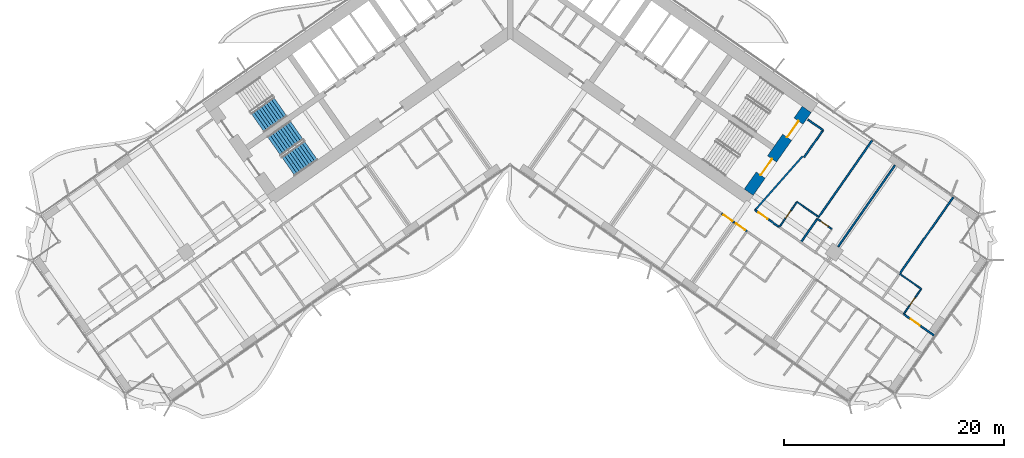
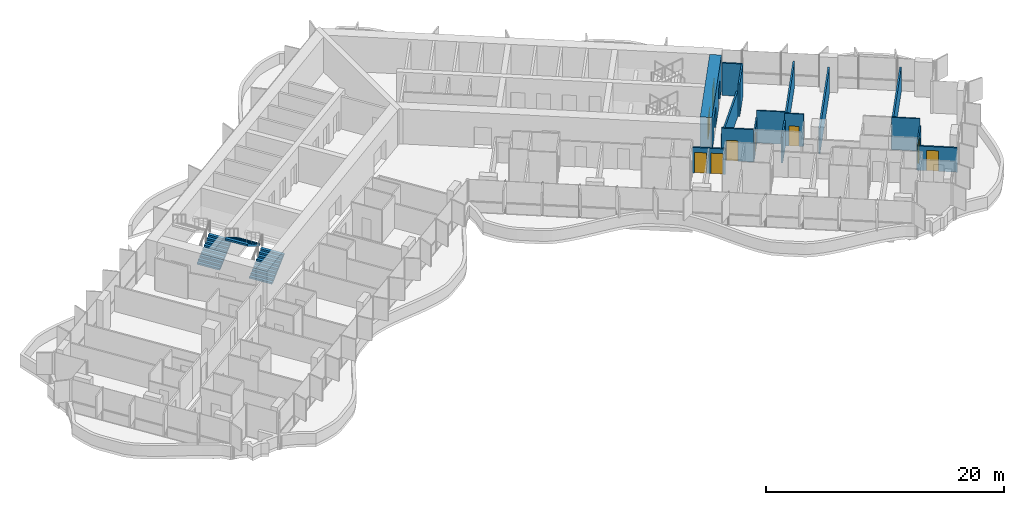
# One storey, part 18 of 25: 17 walls, 9 doors, 3 stair flights, 9 openings, 2 elements without a shape of their own.
"""IFC4 building model written with IfcOpenShell, lengths in metres."""

from ifc_helpers import new_model, si_unit, direction, frame, frame_2d, origin, place, context, subcontext, project, spatial, polyline, rectangle, outline, extrude, material, layer, layer_set, type_object, element, fill, aggregate, save


model = new_model("IFC4")

# Units and contexts
model_context = context("Model", 3, precision=1e-05, world=origin(), true_north=direction((0.0, 1.0)))
body_context = subcontext(model_context, "Body", "Model", "MODEL_VIEW")
ifc_project = project(units=[si_unit("LENGTHUNIT", "METRE"), si_unit("AREAUNIT", "SQUARE_METRE"), si_unit("VOLUMEUNIT", "CUBIC_METRE"), si_unit("PLANEANGLEUNIT", "RADIAN"), si_unit("MASSUNIT", "GRAM", prefix="KILO")], contexts=[model_context])

# Site, building, storey
site_placement = place(None, origin())
site = spatial("IfcSite", under=ifc_project, at=site_placement, CompositionType="ELEMENT")
building_placement = place(site_placement, origin())
building = spatial("IfcBuilding", under=site, at=building_placement, Name="Tel Ilan Convention Tower", CompositionType="ELEMENT")
storey_placement = place(building_placement, frame((0.0, 0.0, 54.5)))
storey = spatial("IfcBuildingStorey", under=building, at=storey_placement, Name="L08", CompositionType="ELEMENT", Elevation=54.5)

# Wall, openings, doors
ifc_material_1 = material(Name="Concrete C60/75", Category="concrete")
ifc_layer_1 = layer(ifc_material_1, 1.0)
ifc_layer_set_1 = layer_set([ifc_layer_1], Name="Core Shear Wall 1000 mm C60/75")
wall_type_1 = type_object("IfcWallType", Name="Core Shear Wall 1000 mm C60/75", PredefinedType="SHEAR", material=ifc_layer_set_1)
wall_1_placement = place(storey_placement, frame((21.70751953125, -15.19970703125, 0.0), z_axis=(0.0, 0.0, 1.0), x_axis=(0.573576324356, 0.819152122709, 0.0)))
wall_1 = element("IfcWall", 1, at=wall_1_placement, inside=storey, type_object=wall_type_1, Name="L08 core wall E-end", PredefinedType="SHEAR", context=body_context, shape_type="SweptSolid", body=[
    extrude(outline(polyline([(9.199951171875, 0.5), (0.0, 0.5), (0.0, -0.5), (9.199951171875, -0.5), (9.199951171875, 0.5)])), origin(), (0.0, 0.0, 1.0), 3.60009765625),
])
opening_1_placement = place(wall_1_placement, frame((6.10009765625, 0.0, 0.0)))
opening_1 = element("IfcOpeningElement", 2, at=opening_1_placement, cuts=wall_1, Name="Opening SD1103", PredefinedType="OPENING", context=body_context, shape_type="SweptSolid", body=[
    extrude(rectangle(XDim=1.800048828125, YDim=2.10009765625, at=frame_2d((0.89990234375, 1.050048828125))), frame((0.0, 0.510009765625, 0.0), z_axis=(0.0, -1.0, 0.0), x_axis=(1.0, 0.0, 0.0)), (0.0, 0.0, 1.0), 1.02001953125),
])
opening_2_placement = place(wall_1_placement, frame((1.89990234375, 0.0, 0.0)))
opening_2 = element("IfcOpeningElement", 3, at=opening_2_placement, cuts=wall_1, Name="Opening SD1104", PredefinedType="OPENING", context=body_context, shape_type="SweptSolid", body=[
    extrude(rectangle(XDim=1.800048828125, YDim=2.10009765625, at=frame_2d((0.89990234375, 1.050048828125))), frame((0.0, 0.510009765625, 0.0), z_axis=(0.0, -1.0, 0.0), x_axis=(1.0, 0.0, 0.0)), (0.0, 0.0, 1.0), 1.02001953125),
])
ifc_material_2 = material(Name="Galvanised Steel Door Leaf", Category="steel")
door_type_1 = type_object("IfcDoorType", Name="Stair Fire Door 1800 x 2100 FD60S", OperationType="NOTDEFINED", PredefinedType="DOOR", material=ifc_material_2)
door_1_placement = place(opening_1_placement, origin())
door_1 = element("IfcDoor", 4, at=door_1_placement, inside=storey, type_object=door_type_1, Name="Stair S3 door", OperationType="DOUBLE_DOOR_SINGLE_SWING", OverallHeight=2.10009765625, OverallWidth=1.800048828125, PredefinedType="DOOR", context=body_context, shape_type="SweptSolid", body=[
    extrude(rectangle(XDim=1.800048828125, YDim=2.10009765625, at=frame_2d((0.89990234375, 1.050048828125))), frame((0.0, 0.02490234375, 0.0), z_axis=(0.0, -1.0, 0.0), x_axis=(1.0, 0.0, 0.0)), (0.0, 0.0, 1.0), 0.050048828125),
])
fill(opening_1, door_1)
door_2_placement = place(opening_2_placement, origin())
door_2 = element("IfcDoor", 5, at=door_2_placement, inside=storey, type_object=door_type_1, Name="Stair S4 door", OperationType="DOUBLE_DOOR_SINGLE_SWING", OverallHeight=2.10009765625, OverallWidth=1.800048828125, PredefinedType="DOOR", context=body_context, shape_type="SweptSolid", body=[
    extrude(rectangle(XDim=1.800048828125, YDim=2.10009765625, at=frame_2d((0.89990234375, 1.050048828125))), frame((0.0, 0.02490234375, 0.0), z_axis=(0.0, -1.0, 0.0), x_axis=(1.0, 0.0, 0.0)), (0.0, 0.0, 1.0), 0.050048828125),
])
fill(opening_2, door_2)

# Wall, opening, door
ifc_material_3 = material(Name="Plasterboard on Steel Studs", Category="steel")
ifc_layer_2 = layer(ifc_material_3, 0.14990234375)
ifc_layer_set_2 = layer_set([ifc_layer_2], Name="Fire-rated Partition 150 EI 60")
wall_type_2 = type_object("IfcWallType", Name="Fire-rated Partition 150 EI 60", PredefinedType="PARTITIONING", material=ifc_layer_set_2)
wall_2_placement = place(storey_placement, frame((22.28369140625, -16.823974609375, 0.0), z_axis=(0.0, 0.0, 1.0), x_axis=(0.819176640776, -0.573541307325, 0.0)))
wall_2 = element("IfcWall", 6, at=wall_2_placement, inside=storey, type_object=wall_type_2, Name="Partition 001", PredefinedType="PARTITIONING", context=body_context, shape_type="SweptSolid", body=[
    extrude(rectangle(XDim=2.697509765625, YDim=0.14990234375, at=frame_2d((1.3486328125, 0.0))), origin(), (0.0, 0.0, 1.0), 3.320068359375),
])
opening_3_placement = place(wall_2_placement, frame((0.396240234375, 0.0, 0.0)))
opening_3 = element("IfcOpeningElement", 7, at=opening_3_placement, cuts=wall_2, Name="Opening L08-044", PredefinedType="OPENING", context=body_context, shape_type="SweptSolid", body=[
    extrude(rectangle(XDim=1.0, YDim=2.10009765625, at=frame_2d((0.5, 1.050048828125))), frame((0.0, 0.0849609375, 0.0), z_axis=(0.0, -1.0, 0.0), x_axis=(1.0, 0.0, 0.0)), (0.0, 0.0, 1.0), 0.169921875),
])
ifc_material_4 = material(Name="Timber Door Leaf in Steel Frame", Category="steel")
door_type_2 = type_object("IfcDoorType", Name="Hotel Room Entrance Fire Door 1000x2100", OperationType="NOTDEFINED", PredefinedType="DOOR", material=ifc_material_4)
door_3_placement = place(opening_3_placement, origin())
door_3 = element("IfcDoor", 8, at=door_3_placement, inside=storey, type_object=door_type_2, Name="Door L08-044", OperationType="SINGLE_SWING_RIGHT", OverallHeight=2.10009765625, OverallWidth=1.0, PredefinedType="DOOR", context=body_context, shape_type="SweptSolid", body=[
    extrude(rectangle(XDim=1.0, YDim=2.10009765625, at=frame_2d((0.5, 1.050048828125))), frame((0.0, 0.02490234375, 0.0), z_axis=(0.0, -1.0, 0.0), x_axis=(1.0, 0.0, 0.0)), (0.0, 0.0, 1.0), 0.050048828125),
])
fill(opening_3, door_3)

wall_3_placement = place(storey_placement, frame((35.7958984375, -26.285400390625, 0.0), z_axis=(0.0, 0.0, 1.0), x_axis=(0.819154345195, -0.573573150303, 0.0)))
wall_3 = element("IfcWall", 9, at=wall_3_placement, inside=storey, type_object=wall_type_2, Name="Partition 007", PredefinedType="PARTITIONING", context=body_context, shape_type="SweptSolid", body=[
    extrude(rectangle(XDim=3.40087890625, YDim=0.14990234375, at=frame_2d((1.700439453125, 0.0))), origin(), (0.0, 0.0, 1.0), 2.5),
])
opening_4_placement = place(wall_3_placement, frame((0.801025390625, 0.0, 0.0)))
opening_4 = element("IfcOpeningElement", 10, at=opening_4_placement, cuts=wall_3, Name="Opening L08-050", PredefinedType="OPENING", context=body_context, shape_type="SweptSolid", body=[
    extrude(rectangle(XDim=1.0, YDim=2.10009765625, at=frame_2d((0.5, 1.050048828125))), frame((0.0, 0.0849609375, 0.0), z_axis=(0.0, -1.0, 0.0), x_axis=(1.0, 0.0, 0.0)), (0.0, 0.0, 1.0), 0.169921875),
])
door_4_placement = place(opening_4_placement, origin())
door_4 = element("IfcDoor", 11, at=door_4_placement, inside=storey, type_object=door_type_2, Name="Door L08-050", OperationType="SINGLE_SWING_LEFT", OverallHeight=2.10009765625, OverallWidth=1.0, PredefinedType="DOOR", context=body_context, shape_type="SweptSolid", body=[
    extrude(rectangle(XDim=1.0, YDim=2.10009765625, at=frame_2d((0.5, 1.050048828125))), frame((0.0, 0.02490234375, 0.0), z_axis=(0.0, -1.0, 0.0), x_axis=(1.0, 0.0, 0.0)), (0.0, 0.0, 1.0), 0.050048828125),
])
fill(opening_4, door_4)

wall_4_placement = place(storey_placement, frame((20.39794921875, -17.9453125, 0.0), z_axis=(0.0, 0.0, 1.0), x_axis=(-0.819060210533, 0.573707566205, 0.0)))
wall_4 = element("IfcWall", 12, at=wall_4_placement, inside=storey, type_object=wall_type_2, Name="Partition 016", PredefinedType="PARTITIONING", context=body_context, shape_type="SweptSolid", body=[
    extrude(rectangle(XDim=1.403076171875, YDim=0.14990234375, at=frame_2d((0.70166015625, 0.0))), origin(), (0.0, 0.0, 1.0), 2.60009765625),
])
opening_5_placement = place(wall_4_placement, frame((0.201904296875, 0.0, 0.0)))
opening_5 = element("IfcOpeningElement", 13, at=opening_5_placement, cuts=wall_4, Name="Opening L08-031", PredefinedType="OPENING", context=body_context, shape_type="SweptSolid", body=[
    extrude(rectangle(XDim=1.0, YDim=2.10009765625, at=frame_2d((0.5, 1.050048828125))), frame((0.0, 0.0849609375, 0.0), z_axis=(0.0, -1.0, 0.0), x_axis=(1.0, 0.0, 0.0)), (0.0, 0.0, 1.0), 0.169921875),
])
door_5_placement = place(opening_5_placement, origin())
door_5 = element("IfcDoor", 14, at=door_5_placement, inside=storey, type_object=door_type_2, Name="Door L08-031", OperationType="SINGLE_SWING_RIGHT", OverallHeight=2.10009765625, OverallWidth=1.0, PredefinedType="DOOR", context=body_context, shape_type="SweptSolid", body=[
    extrude(rectangle(XDim=1.0, YDim=2.10009765625, at=frame_2d((0.5, 1.050048828125))), frame((0.0, 0.02490234375, 0.0), z_axis=(0.0, -1.0, 0.0), x_axis=(1.0, 0.0, 0.0)), (0.0, 0.0, 1.0), 0.050048828125),
])
fill(opening_5, door_5)

wall_5_placement = place(storey_placement, frame((21.5439453125, -18.74755859375, 0.0), z_axis=(0.0, 0.0, 1.0), x_axis=(-0.81914197737, 0.573590813132, 0.0)))
wall_5 = element("IfcWall", 15, at=wall_5_placement, inside=storey, type_object=wall_type_2, Name="Partition 018", PredefinedType="PARTITIONING", context=body_context, shape_type="SweptSolid", body=[
    extrude(rectangle(XDim=1.40283203125, YDim=0.14990234375, at=frame_2d((0.701416015625, 0.0))), origin(), (0.0, 0.0, 1.0), 2.60009765625),
])
opening_6_placement = place(wall_5_placement, frame((0.200927734375, 0.0, 0.0)))
opening_6 = element("IfcOpeningElement", 16, at=opening_6_placement, cuts=wall_5, Name="Opening L08-033", PredefinedType="OPENING", context=body_context, shape_type="SweptSolid", body=[
    extrude(rectangle(XDim=1.0, YDim=2.10009765625, at=frame_2d((0.5, 1.050048828125))), frame((0.0, 0.0849609375, 0.0), z_axis=(0.0, -1.0, 0.0), x_axis=(1.0, 0.0, 0.0)), (0.0, 0.0, 1.0), 0.169921875),
])
door_6_placement = place(opening_6_placement, origin())
door_6 = element("IfcDoor", 17, at=door_6_placement, inside=storey, type_object=door_type_2, Name="Door L08-033", OperationType="SINGLE_SWING_RIGHT", OverallHeight=2.10009765625, OverallWidth=1.0, PredefinedType="DOOR", context=body_context, shape_type="SweptSolid", body=[
    extrude(rectangle(XDim=1.0, YDim=2.10009765625, at=frame_2d((0.5, 1.050048828125))), frame((0.0, 0.02490234375, 0.0), z_axis=(0.0, -1.0, 0.0), x_axis=(1.0, 0.0, 0.0)), (0.0, 0.0, 1.0), 0.050048828125),
])
fill(opening_6, door_6)

# Walls
wall_6_placement = place(storey_placement, frame((32.93994140625, -10.49072265625, 0.0), z_axis=(0.0, 0.0, 1.0), x_axis=(-0.573593433868, -0.819140142237, 0.0)))
element("IfcWall", 18, at=wall_6_placement, inside=storey, type_object=wall_type_2, Name="Partition 053", PredefinedType="PARTITIONING", context=body_context, shape_type="SweptSolid", body=[
    extrude(rectangle(XDim=8.4990234375, YDim=0.14990234375, at=frame_2d((4.24951171875, 0.0))), origin(), (0.0, 0.0, 1.0), 2.60009765625),
])
wall_7_placement = place(storey_placement, frame((22.285400390625, -16.8251953125, 0.0), z_axis=(0.0, 0.0, 1.0), x_axis=(0.661551268245, 0.749899939647, 0.0)))
element("IfcWall", 19, at=wall_7_placement, inside=storey, type_object=wall_type_2, Name="Partition 054", PredefinedType="PARTITIONING", context=body_context, shape_type="SweptSolid", body=[
    extrude(rectangle(XDim=6.541015625, YDim=0.14990234375, at=frame_2d((3.2705078125, 0.0))), origin(), (0.0, 0.0, 1.0), 2.60009765625),
])
wall_8_placement = place(storey_placement, frame((26.74609375, -12.013671875, 0.0), z_axis=(0.0, 0.0, 1.0), x_axis=(0.573560650686, 0.819163097304, 0.0)))
element("IfcWall", 20, at=wall_8_placement, inside=storey, type_object=wall_type_2, Name="Partition 055", PredefinedType="PARTITIONING", context=body_context, shape_type="SweptSolid", body=[
    extrude(rectangle(XDim=3.0, YDim=0.14990234375, at=frame_2d((1.5, 0.0))), origin(), (0.0, 0.0, 1.0), 3.320068359375),
])
wall_9_placement = place(storey_placement, frame((28.466796875, -9.55615234375, 0.0), z_axis=(0.0, 0.0, 1.0), x_axis=(-0.819109000826, 0.573637903879, 0.0)))
element("IfcWall", 21, at=wall_9_placement, inside=storey, type_object=wall_type_2, Name="Partition 056", PredefinedType="PARTITIONING", context=body_context, shape_type="SweptSolid", body=[
    extrude(rectangle(XDim=1.679931640625, YDim=0.14990234375, at=frame_2d((0.83984375, 0.0))), origin(), (0.0, 0.0, 1.0), 3.320068359375),
])
wall_10_placement = place(storey_placement, frame((27.950927734375, -17.61572265625, 0.0), z_axis=(0.0, 0.0, 1.0), x_axis=(-0.573544201094, -0.819174614714, 0.0)))
element("IfcWall", 22, at=wall_10_placement, inside=storey, type_object=wall_type_2, Name="Partition 057", PredefinedType="PARTITIONING", context=body_context, shape_type="SweptSolid", body=[
    extrude(rectangle(XDim=2.60205078125, YDim=0.14990234375, at=frame_2d((1.301025390625, 0.0))), origin(), (0.0, 0.0, 1.0), 2.60009765625),
])
wall_11_placement = place(storey_placement, frame((35.012939453125, -12.76025390625, 0.0), z_axis=(0.0, 0.0, 1.0), x_axis=(-0.573558725113, -0.819164445546, 0.0)))
element("IfcWall", 23, at=wall_11_placement, inside=storey, type_object=wall_type_2, Name="Partition 060", PredefinedType="PARTITIONING", context=body_context, shape_type="SweptSolid", body=[
    extrude(rectangle(XDim=9.010009765625, YDim=0.14990234375, at=frame_2d((4.5048828125, 0.0))), origin(), (0.0, 0.0, 1.0), 2.60009765625),
])
wall_12_placement = place(storey_placement, frame((40.312255859375, -15.65283203125, 0.0), z_axis=(0.0, 0.0, 1.0), x_axis=(-0.573560662175, -0.81916308926, 0.0)))
element("IfcWall", 24, at=wall_12_placement, inside=storey, type_object=wall_type_2, Name="Partition 064", PredefinedType="PARTITIONING", context=body_context, shape_type="SweptSolid", body=[
    extrude(rectangle(XDim=8.4990234375, YDim=0.14990234375, at=frame_2d((4.24951171875, 0.0))), origin(), (0.0, 0.0, 1.0), 2.5),
])

# Wall, opening, door
ifc_material_5 = material(Name="Plasterboard on Steel Studs", Category="steel")
ifc_layer_3 = layer(ifc_material_5, 0.1201171875)
ifc_layer_set_3 = layer_set([ifc_layer_3], Name="Moisture-resistant Partition 120")
wall_type_3 = type_object("IfcWallType", Name="Moisture-resistant Partition 120", PredefinedType="PARTITIONING", material=ifc_layer_set_3)
wall_13_placement = place(storey_placement, frame((26.09765625, -16.076416015625, 0.0), z_axis=(0.0, 0.0, 1.0), x_axis=(-0.573550118428, -0.819170471667, 0.0)))
wall_13 = element("IfcWall", 25, at=wall_13_placement, inside=storey, type_object=wall_type_3, Name="Partition 051", PredefinedType="PARTITIONING", context=body_context, shape_type="SweptSolid", body=[
    extrude(rectangle(XDim=2.800048828125, YDim=0.1201171875, at=frame_2d((1.39990234375, 0.0))), origin(), (0.0, 0.0, 1.0), 2.60009765625),
])
opening_7_placement = place(wall_13_placement, frame((0.97509765625, 0.0, 0.0)))
opening_7 = element("IfcOpeningElement", 26, at=opening_7_placement, cuts=wall_13, Name="Opening L08-043", PredefinedType="OPENING", context=body_context, shape_type="SweptSolid", body=[
    extrude(rectangle(XDim=0.85009765625, YDim=2.050048828125, at=frame_2d((0.425048828125, 1.02490234375))), frame((0.0, 0.070068359375, 0.0), z_axis=(0.0, -1.0, 0.0), x_axis=(1.0, 0.0, 0.0)), (0.0, 0.0, 1.0), 0.14013671875),
])
ifc_material_6 = material(Name="Timber Door Leaf in Steel Frame", Category="steel")
door_type_3 = type_object("IfcDoorType", Name="Bathroom Timber Door 850x2050", OperationType="NOTDEFINED", PredefinedType="DOOR", material=ifc_material_6)
door_7_placement = place(opening_7_placement, origin())
door_7 = element("IfcDoor", 27, at=door_7_placement, inside=storey, type_object=door_type_3, Name="Door L08-043", OperationType="SINGLE_SWING_LEFT", OverallHeight=2.050048828125, OverallWidth=0.85009765625, PredefinedType="DOOR", context=body_context, shape_type="SweptSolid", body=[
    extrude(rectangle(XDim=0.85009765625, YDim=2.050048828125, at=frame_2d((0.425048828125, 1.02490234375))), frame((0.0, 0.02490234375, 0.0), z_axis=(0.0, -1.0, 0.0), x_axis=(1.0, 0.0, 0.0)), (0.0, 0.0, 1.0), 0.050048828125),
])
fill(opening_7, door_7)

# Wall
wall_14_placement = place(storey_placement, frame((28.06494140625, -17.45263671875, 0.0), z_axis=(0.0, 0.0, 1.0), x_axis=(-0.819155442668, 0.573571582932, 0.0)))
element("IfcWall", 28, at=wall_14_placement, inside=storey, type_object=wall_type_3, Name="Partition 052", PredefinedType="PARTITIONING", context=body_context, shape_type="SweptSolid", body=[
    extrude(rectangle(XDim=2.39990234375, YDim=0.1201171875, at=frame_2d((1.199951171875, 0.0))), origin(), (0.0, 0.0, 1.0), 3.320068359375),
])

# Wall, opening, door
wall_15_placement = place(storey_placement, frame((29.260986328125, -18.5341796875, 0.0), z_axis=(0.0, 0.0, 1.0), x_axis=(-0.819253425856, 0.573431621227, 0.0)))
wall_15 = element("IfcWall", 29, at=wall_15_placement, inside=storey, type_object=wall_type_3, Name="Partition 059", PredefinedType="PARTITIONING", context=body_context, shape_type="SweptSolid", body=[
    extrude(rectangle(XDim=1.60009765625, YDim=0.1201171875, at=frame_2d((0.800048828125, 0.0))), origin(), (0.0, 0.0, 1.0), 3.320068359375),
])
opening_8_placement = place(wall_15_placement, frame((0.375, 0.0, 0.0)))
opening_8 = element("IfcOpeningElement", 30, at=opening_8_placement, cuts=wall_15, Name="Opening L08-045", PredefinedType="OPENING", context=body_context, shape_type="SweptSolid", body=[
    extrude(rectangle(XDim=0.85009765625, YDim=2.050048828125, at=frame_2d((0.425048828125, 1.02490234375))), frame((0.0, 0.070068359375, 0.0), z_axis=(0.0, -1.0, 0.0), x_axis=(1.0, 0.0, 0.0)), (0.0, 0.0, 1.0), 0.14013671875),
])
door_8_placement = place(opening_8_placement, origin())
door_8 = element("IfcDoor", 31, at=door_8_placement, inside=storey, type_object=door_type_3, Name="Door L08-045", OperationType="SINGLE_SWING_LEFT", OverallHeight=2.050048828125, OverallWidth=0.85009765625, PredefinedType="DOOR", context=body_context, shape_type="SweptSolid", body=[
    extrude(rectangle(XDim=0.85009765625, YDim=2.050048828125, at=frame_2d((0.425048828125, 1.02490234375))), frame((0.0, 0.02490234375, 0.0), z_axis=(0.0, -1.0, 0.0), x_axis=(1.0, 0.0, 0.0)), (0.0, 0.0, 1.0), 0.050048828125),
])
fill(opening_8, door_8)

wall_16_placement = place(storey_placement, frame((35.797607421875, -26.28662109375, 0.0), z_axis=(0.0, 0.0, 1.0), x_axis=(0.573550118428, 0.819170471667, 0.0)))
wall_16 = element("IfcWall", 32, at=wall_16_placement, inside=storey, type_object=wall_type_3, Name="Partition 066", PredefinedType="PARTITIONING", context=body_context, shape_type="SweptSolid", body=[
    extrude(rectangle(XDim=2.800048828125, YDim=0.1201171875, at=frame_2d((1.39990234375, 0.0))), origin(), (0.0, 0.0, 1.0), 2.60009765625),
])
opening_9_placement = place(wall_16_placement, frame((0.97509765625, 0.0, 0.0)))
opening_9 = element("IfcOpeningElement", 33, at=opening_9_placement, cuts=wall_16, Name="Opening L08-049", PredefinedType="OPENING", context=body_context, shape_type="SweptSolid", body=[
    extrude(rectangle(XDim=0.85009765625, YDim=2.050048828125, at=frame_2d((0.425048828125, 1.02490234375))), frame((0.0, 0.070068359375, 0.0), z_axis=(0.0, -1.0, 0.0), x_axis=(1.0, 0.0, 0.0)), (0.0, 0.0, 1.0), 0.14013671875),
])
door_9_placement = place(opening_9_placement, origin())
door_9 = element("IfcDoor", 34, at=door_9_placement, inside=storey, type_object=door_type_3, Name="Door L08-049", OperationType="SINGLE_SWING_LEFT", OverallHeight=2.050048828125, OverallWidth=0.85009765625, PredefinedType="DOOR", context=body_context, shape_type="SweptSolid", body=[
    extrude(rectangle(XDim=0.85009765625, YDim=2.050048828125, at=frame_2d((0.425048828125, 1.02490234375))), frame((0.0, 0.02490234375, 0.0), z_axis=(0.0, -1.0, 0.0), x_axis=(1.0, 0.0, 0.0)), (0.0, 0.0, 1.0), 0.050048828125),
])
fill(opening_9, door_9)

# Wall
wall_17_placement = place(storey_placement, frame((37.4033203125, -23.991455078125, 0.0), z_axis=(0.0, 0.0, 1.0), x_axis=(-0.819155442668, 0.573571582932, 0.0)))
element("IfcWall", 35, at=wall_17_placement, inside=storey, type_object=wall_type_3, Name="Partition 067", PredefinedType="PARTITIONING", context=body_context, shape_type="SweptSolid", body=[
    extrude(rectangle(XDim=2.39990234375, YDim=0.1201171875, at=frame_2d((1.199951171875, 0.0))), origin(), (0.0, 0.0, 1.0), 3.320068359375),
])

# Stair, stair flight
ifc_material_7 = material(Name="Concrete C40/50", Category="concrete")
stair_type = type_object("IfcStairType", Name="Pressurised Exit Stair 20 risers 180 mm", PredefinedType="HALF_TURN_STAIR", material=ifc_material_7)
stair_1_placement = place(storey_placement, origin())
stair_1 = element("IfcStair", 36, at=stair_1_placement, inside=storey, type_object=stair_type, Name="L08 Pressurised Stair S1", PredefinedType="HALF_TURN_STAIR")
ifc_material_8 = material(Name="Precast Concrete C40/50", Category="concrete")
stair_flight_type = type_object("IfcStairFlightType", Name="Concrete Stair Flight 2100 mm 20 risers 180 mm", PredefinedType="STRAIGHT", material=ifc_material_8)
stair_flight_1_placement = place(storey_placement, frame((-22.9619140625, -8.87548828125, 0.0), z_axis=(0.0, 0.0, 1.0), x_axis=(0.819152044289, 0.573576436351, 0.0)))
stair_flight_1 = element("IfcStairFlight", 37, at=stair_flight_1_placement, type_object=stair_flight_type, Name="S1 flight 1", NumberOfRisers=10, NumberOfTreads=9, PredefinedType="STRAIGHT", RiserHeight=0.18, TreadLength=0.28, context=body_context, shape_type="SweptSolid", body=[
    extrude(outline(polyline([(0.0, 0.0), (0.0, 0.179931640625), (0.280029296875, 0.179931640625), (0.280029296875, 0.360107421875), (0.56005859375, 0.360107421875), (0.56005859375, 0.5400390625), (0.840087890625, 0.5400390625), (0.840087890625, 0.719970703125), (1.1201171875, 0.719970703125), (1.1201171875, 0.89990234375), (1.39990234375, 0.89990234375), (1.39990234375, 1.080078125), (1.679931640625, 1.080078125), (1.679931640625, 1.260009765625), (1.9599609375, 1.260009765625), (1.9599609375, 1.43994140625), (2.239990234375, 1.43994140625), (2.239990234375, 1.6201171875), (2.52001953125, 1.6201171875), (2.52001953125, 1.800048828125), (2.52001953125, 1.44189453125), (0.277099609375, 0.0), (0.0, 0.0)])), frame((0.0, -0.100341796875, 0.0), z_axis=(0.0, -1.0, 0.0), x_axis=(1.0, 0.0, 0.0)), (0.0, 0.0, 1.0), 0.94970703125),
    extrude(outline(polyline([(0.0, 0.0), (0.0, 0.179931640625), (0.280029296875, 0.179931640625), (0.280029296875, 0.360107421875), (0.56005859375, 0.360107421875), (0.56005859375, 0.5400390625), (0.840087890625, 0.5400390625), (0.840087890625, 0.719970703125), (1.1201171875, 0.719970703125), (1.1201171875, 0.89990234375), (1.39990234375, 0.89990234375), (1.39990234375, 1.080078125), (1.679931640625, 1.080078125), (1.679931640625, 1.260009765625), (1.9599609375, 1.260009765625), (1.9599609375, 1.43994140625), (2.239990234375, 1.43994140625), (2.239990234375, 1.6201171875), (2.52001953125, 1.6201171875), (2.52001953125, 1.800048828125), (2.52001953125, 1.44189453125), (0.277099609375, 0.0), (0.0, 0.0)])), frame((0.0, -0.000244140625, 0.0), z_axis=(0.0, -1.0, 0.0), x_axis=(1.0, 0.0, 0.0)), (0.0, 0.0, 1.0), 0.099609375),
    extrude(outline(polyline([(0.0, 0.0), (0.0, 0.179931640625), (0.280029296875, 0.179931640625), (0.280029296875, 0.360107421875), (0.56005859375, 0.360107421875), (0.56005859375, 0.5400390625), (0.840087890625, 0.5400390625), (0.840087890625, 0.719970703125), (1.1201171875, 0.719970703125), (1.1201171875, 0.89990234375), (1.39990234375, 0.89990234375), (1.39990234375, 1.080078125), (1.679931640625, 1.080078125), (1.679931640625, 1.260009765625), (1.9599609375, 1.260009765625), (1.9599609375, 1.43994140625), (2.239990234375, 1.43994140625), (2.239990234375, 1.6201171875), (2.52001953125, 1.6201171875), (2.52001953125, 1.800048828125), (2.52001953125, 1.44189453125), (0.277099609375, 0.0), (0.0, 0.0)])), frame((0.0, 0.099853515625, 0.0), z_axis=(0.0, -1.0, 0.0), x_axis=(1.0, 0.0, 0.0)), (0.0, 0.0, 1.0), 0.099609375),
    extrude(outline(polyline([(0.0, 0.0), (0.0, 0.179931640625), (0.280029296875, 0.179931640625), (0.280029296875, 0.360107421875), (0.56005859375, 0.360107421875), (0.56005859375, 0.5400390625), (0.840087890625, 0.5400390625), (0.840087890625, 0.719970703125), (1.1201171875, 0.719970703125), (1.1201171875, 0.89990234375), (1.39990234375, 0.89990234375), (1.39990234375, 1.080078125), (1.679931640625, 1.080078125), (1.679931640625, 1.260009765625), (1.9599609375, 1.260009765625), (1.9599609375, 1.43994140625), (2.239990234375, 1.43994140625), (2.239990234375, 1.6201171875), (2.52001953125, 1.6201171875), (2.52001953125, 1.800048828125), (2.52001953125, 1.44189453125), (0.277099609375, 0.0), (0.0, 0.0)])), frame((0.0, 1.050048828125, 0.0), z_axis=(0.0, -1.0, 0.0), x_axis=(1.0, 0.0, 0.0)), (0.0, 0.0, 1.0), 0.94970703125),
])
aggregate(stair_1, [stair_flight_1])

# Stair, stair flights
stair_2_placement = place(storey_placement, origin())
stair_2 = element("IfcStair", 38, at=stair_2_placement, inside=storey, type_object=stair_type, Name="L08 Pressurised Stair S2", PredefinedType="HALF_TURN_STAIR")
stair_flight_2_placement = place(storey_placement, frame((-20.179931640625, -12.848388671875, 0.0), z_axis=(0.0, 0.0, 1.0), x_axis=(0.819152044289, 0.573576436351, 0.0)))
stair_flight_2 = element("IfcStairFlight", 39, at=stair_flight_2_placement, type_object=stair_flight_type, Name="S2 flight 1", NumberOfRisers=10, NumberOfTreads=9, PredefinedType="STRAIGHT", RiserHeight=0.18, TreadLength=0.28, context=body_context, shape_type="SweptSolid", body=[
    extrude(outline(polyline([(0.0, 0.0), (0.0, 0.179931640625), (0.280029296875, 0.179931640625), (0.280029296875, 0.360107421875), (0.56005859375, 0.360107421875), (0.56005859375, 0.5400390625), (0.840087890625, 0.5400390625), (0.840087890625, 0.719970703125), (1.1201171875, 0.719970703125), (1.1201171875, 0.89990234375), (1.39990234375, 0.89990234375), (1.39990234375, 1.080078125), (1.679931640625, 1.080078125), (1.679931640625, 1.260009765625), (1.9599609375, 1.260009765625), (1.9599609375, 1.43994140625), (2.239990234375, 1.43994140625), (2.239990234375, 1.6201171875), (2.52001953125, 1.6201171875), (2.52001953125, 1.800048828125), (2.52001953125, 1.44189453125), (0.277099609375, 0.0), (0.0, 0.0)])), frame((0.0, -0.100341796875, 0.0), z_axis=(0.0, -1.0, 0.0), x_axis=(1.0, 0.0, 0.0)), (0.0, 0.0, 1.0), 0.94970703125),
    extrude(outline(polyline([(0.0, 0.0), (0.0, 0.179931640625), (0.280029296875, 0.179931640625), (0.280029296875, 0.360107421875), (0.56005859375, 0.360107421875), (0.56005859375, 0.5400390625), (0.840087890625, 0.5400390625), (0.840087890625, 0.719970703125), (1.1201171875, 0.719970703125), (1.1201171875, 0.89990234375), (1.39990234375, 0.89990234375), (1.39990234375, 1.080078125), (1.679931640625, 1.080078125), (1.679931640625, 1.260009765625), (1.9599609375, 1.260009765625), (1.9599609375, 1.43994140625), (2.239990234375, 1.43994140625), (2.239990234375, 1.6201171875), (2.52001953125, 1.6201171875), (2.52001953125, 1.800048828125), (2.52001953125, 1.44189453125), (0.277099609375, 0.0), (0.0, 0.0)])), frame((0.0, -0.000244140625, 0.0), z_axis=(0.0, -1.0, 0.0), x_axis=(1.0, 0.0, 0.0)), (0.0, 0.0, 1.0), 0.099609375),
    extrude(outline(polyline([(0.0, 0.0), (0.0, 0.179931640625), (0.280029296875, 0.179931640625), (0.280029296875, 0.360107421875), (0.56005859375, 0.360107421875), (0.56005859375, 0.5400390625), (0.840087890625, 0.5400390625), (0.840087890625, 0.719970703125), (1.1201171875, 0.719970703125), (1.1201171875, 0.89990234375), (1.39990234375, 0.89990234375), (1.39990234375, 1.080078125), (1.679931640625, 1.080078125), (1.679931640625, 1.260009765625), (1.9599609375, 1.260009765625), (1.9599609375, 1.43994140625), (2.239990234375, 1.43994140625), (2.239990234375, 1.6201171875), (2.52001953125, 1.6201171875), (2.52001953125, 1.800048828125), (2.52001953125, 1.44189453125), (0.277099609375, 0.0), (0.0, 0.0)])), frame((0.0, 0.099853515625, 0.0), z_axis=(0.0, -1.0, 0.0), x_axis=(1.0, 0.0, 0.0)), (0.0, 0.0, 1.0), 0.099609375),
    extrude(outline(polyline([(0.0, 0.0), (0.0, 0.179931640625), (0.280029296875, 0.179931640625), (0.280029296875, 0.360107421875), (0.56005859375, 0.360107421875), (0.56005859375, 0.5400390625), (0.840087890625, 0.5400390625), (0.840087890625, 0.719970703125), (1.1201171875, 0.719970703125), (1.1201171875, 0.89990234375), (1.39990234375, 0.89990234375), (1.39990234375, 1.080078125), (1.679931640625, 1.080078125), (1.679931640625, 1.260009765625), (1.9599609375, 1.260009765625), (1.9599609375, 1.43994140625), (2.239990234375, 1.43994140625), (2.239990234375, 1.6201171875), (2.52001953125, 1.6201171875), (2.52001953125, 1.800048828125), (2.52001953125, 1.44189453125), (0.277099609375, 0.0), (0.0, 0.0)])), frame((0.0, 1.050048828125, 0.0), z_axis=(0.0, -1.0, 0.0), x_axis=(1.0, 0.0, 0.0)), (0.0, 0.0, 1.0), 0.94970703125),
])
stair_flight_3_placement = place(storey_placement, frame((-19.40625, -9.559814453125, 1.800048828125), z_axis=(0.0, 0.0, 1.0), x_axis=(-0.819152044289, -0.573576436351, 0.0)))
stair_flight_3 = element("IfcStairFlight", 40, at=stair_flight_3_placement, type_object=stair_flight_type, Name="S2 flight 2", NumberOfRisers=10, NumberOfTreads=9, PredefinedType="STRAIGHT", RiserHeight=0.18, TreadLength=0.28, context=body_context, shape_type="SweptSolid", body=[
    extrude(outline(polyline([(0.0, 0.0), (0.0, 0.179931640625), (0.280029296875, 0.179931640625), (0.280029296875, 0.360107421875), (0.56005859375, 0.360107421875), (0.56005859375, 0.5400390625), (0.840087890625, 0.5400390625), (0.840087890625, 0.719970703125), (1.1201171875, 0.719970703125), (1.1201171875, 0.89990234375), (1.39990234375, 0.89990234375), (1.39990234375, 1.080078125), (1.679931640625, 1.080078125), (1.679931640625, 1.260009765625), (1.9599609375, 1.260009765625), (1.9599609375, 1.43994140625), (2.239990234375, 1.43994140625), (2.239990234375, 1.6201171875), (2.52001953125, 1.6201171875), (2.52001953125, 1.800048828125), (2.52001953125, 1.44189453125), (0.277099609375, 0.0), (0.0, 0.0)])), frame((0.0, -0.100341796875, 0.0), z_axis=(0.0, -1.0, 0.0), x_axis=(1.0, 0.0, 0.0)), (0.0, 0.0, 1.0), 0.94970703125),
    extrude(outline(polyline([(0.0, 0.0), (0.0, 0.179931640625), (0.280029296875, 0.179931640625), (0.280029296875, 0.360107421875), (0.56005859375, 0.360107421875), (0.56005859375, 0.5400390625), (0.840087890625, 0.5400390625), (0.840087890625, 0.719970703125), (1.1201171875, 0.719970703125), (1.1201171875, 0.89990234375), (1.39990234375, 0.89990234375), (1.39990234375, 1.080078125), (1.679931640625, 1.080078125), (1.679931640625, 1.260009765625), (1.9599609375, 1.260009765625), (1.9599609375, 1.43994140625), (2.239990234375, 1.43994140625), (2.239990234375, 1.6201171875), (2.52001953125, 1.6201171875), (2.52001953125, 1.800048828125), (2.52001953125, 1.44189453125), (0.277099609375, 0.0), (0.0, 0.0)])), frame((0.0, -0.000244140625, 0.0), z_axis=(0.0, -1.0, 0.0), x_axis=(1.0, 0.0, 0.0)), (0.0, 0.0, 1.0), 0.099609375),
    extrude(outline(polyline([(0.0, 0.0), (0.0, 0.179931640625), (0.280029296875, 0.179931640625), (0.280029296875, 0.360107421875), (0.56005859375, 0.360107421875), (0.56005859375, 0.5400390625), (0.840087890625, 0.5400390625), (0.840087890625, 0.719970703125), (1.1201171875, 0.719970703125), (1.1201171875, 0.89990234375), (1.39990234375, 0.89990234375), (1.39990234375, 1.080078125), (1.679931640625, 1.080078125), (1.679931640625, 1.260009765625), (1.9599609375, 1.260009765625), (1.9599609375, 1.43994140625), (2.239990234375, 1.43994140625), (2.239990234375, 1.6201171875), (2.52001953125, 1.6201171875), (2.52001953125, 1.800048828125), (2.52001953125, 1.44189453125), (0.277099609375, 0.0), (0.0, 0.0)])), frame((0.0, 0.099853515625, 0.0), z_axis=(0.0, -1.0, 0.0), x_axis=(1.0, 0.0, 0.0)), (0.0, 0.0, 1.0), 0.099609375),
    extrude(outline(polyline([(0.0, 0.0), (0.0, 0.179931640625), (0.280029296875, 0.179931640625), (0.280029296875, 0.360107421875), (0.56005859375, 0.360107421875), (0.56005859375, 0.5400390625), (0.840087890625, 0.5400390625), (0.840087890625, 0.719970703125), (1.1201171875, 0.719970703125), (1.1201171875, 0.89990234375), (1.39990234375, 0.89990234375), (1.39990234375, 1.080078125), (1.679931640625, 1.080078125), (1.679931640625, 1.260009765625), (1.9599609375, 1.260009765625), (1.9599609375, 1.43994140625), (2.239990234375, 1.43994140625), (2.239990234375, 1.6201171875), (2.52001953125, 1.6201171875), (2.52001953125, 1.800048828125), (2.52001953125, 1.44189453125), (0.277099609375, 0.0), (0.0, 0.0)])), frame((0.0, 1.050048828125, 0.0), z_axis=(0.0, -1.0, 0.0), x_axis=(1.0, 0.0, 0.0)), (0.0, 0.0, 1.0), 0.94970703125),
])
aggregate(stair_2, [stair_flight_2, stair_flight_3])

save(model, "model.ifc")
